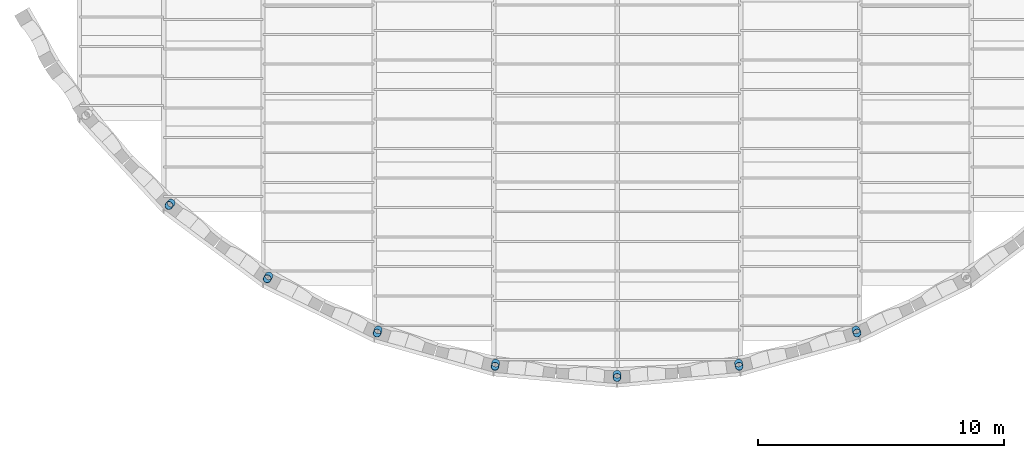
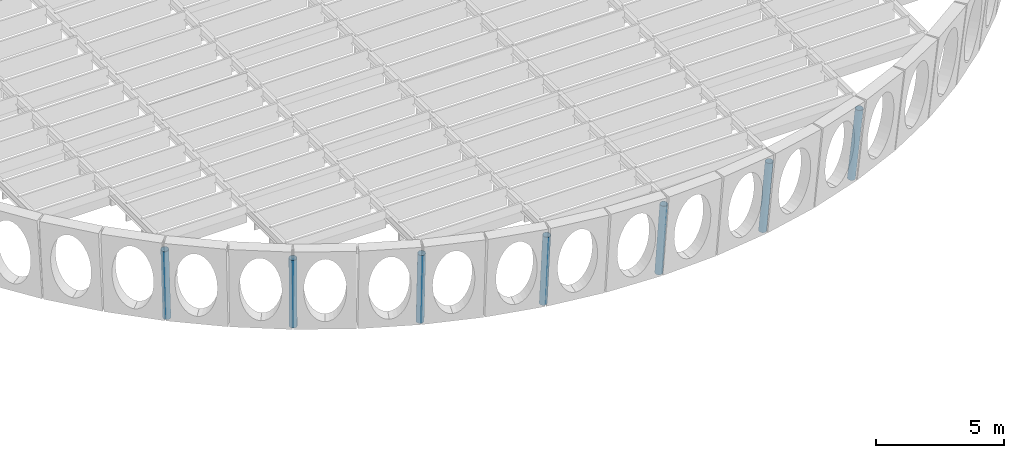
# One storey, part 5 of 47: 7 columns.
"""IFC4 building model written with IfcOpenShell, lengths in metres."""

from ifc_helpers import new_model, si_unit, direction, frame, origin, origin_2d, place, context, subcontext, project, spatial, hollow_circle, extrude, material, material_profile, profile_set, type_object, element, save


model = new_model("IFC4")

# Units and contexts
model_context = context("Model", 3, precision=1e-05, world=origin(), true_north=direction((0.0, 1.0)))
body_context = subcontext(model_context, "Body", "Model", "MODEL_VIEW")
ifc_project = project(units=[si_unit("LENGTHUNIT", "METRE"), si_unit("AREAUNIT", "SQUARE_METRE"), si_unit("VOLUMEUNIT", "CUBIC_METRE"), si_unit("PLANEANGLEUNIT", "RADIAN"), si_unit("MASSUNIT", "GRAM", prefix="KILO")], contexts=[model_context])

# Site, building, storey
site_placement = place(None, origin())
site = spatial("IfcSite", under=ifc_project, at=site_placement, CompositionType="ELEMENT")
building_placement = place(site_placement, origin())
building = spatial("IfcBuilding", under=site, at=building_placement, Name="Mawjan Specialist Oncology Clinic", CompositionType="ELEMENT")
storey_placement = place(building_placement, frame((0.0, 0.0, 9.5)))
storey = spatial("IfcBuildingStorey", under=building, at=storey_placement, Name="L02", CompositionType="ELEMENT", Elevation=9.5)

# Columns
ifc_material = material(Name="Structural steel S355", Category="steel")
ifc_material_profile = material_profile(ifc_material, hollow_circle(Radius=0.161865234375, WallThickness=0.011962890625, at=origin_2d()), Name="CHS 323.9x12", Category="steel")
ifc_profile_set = profile_set([ifc_material_profile], Name="Structural steel S355")
column_type = type_object("IfcColumnType", Name="SC-CHS324", PredefinedType="COLUMN", material=ifc_profile_set)
for number, where, z_axis, x_axis, name in (
    (1, (65.87841796875, 8.873779296875, 0.0), (-0.075751885683, -0.084068652638, 0.993576425575), (0.742898124979, -0.669404493489, 0.0), "Stone-Arc Restraint Pier 2 L02"),
    (2, (69.849609375, 5.908447265625, 0.0), (-0.059187125534, -0.096542934273, 0.993567484378), (0.852539674435, -0.522662513975, 0.0), "Stone-Arc Restraint Pier 3 L02"),
    (3, (74.29443359375, 3.71630859375, 0.0), (-0.040544357412, -0.105623249052, 0.993579329667), (0.933582227874, -0.358363256763, 0.0), "Stone-Arc Restraint Pier 4 L02"),
    (4, (79.064697265625, 2.37109375, 0.0), (-0.020653204309, -0.111305523894, 0.993571600592), (0.983216985942, -0.182440013581, 0.0), "Stone-Arc Restraint Pier 5 L02"),
    (5, (84.0, 1.917724609375, 0.0), (0.0, -0.113245572318, 0.993567028615), (1.0, 0.0, 0.0), "Stone-Arc Restraint Pier 6 L02"),
    (6, (88.935302734375, 2.37109375, 0.0), (0.020653204309, -0.111305523894, 0.993571600592), (0.983216985942, 0.182440013581, 0.0), "Stone-Arc Restraint Pier 7 L02"),
    (7, (93.70556640625, 3.71630859375, 0.0), (0.040544357412, -0.105623249052, 0.993579329667), (0.933582227874, 0.358363256763, 0.0), "Stone-Arc Restraint Pier 8 L02"),
):
    element("IfcColumn", number, at=place(storey_placement, frame(where, z_axis=z_axis, x_axis=x_axis)), inside=storey, type_object=column_type, Name=name, PredefinedType="COLUMN", context=body_context, shape_type="SweptSolid", body=[
        extrude(hollow_circle(Radius=0.161865234375, WallThickness=0.011962890625, at=origin_2d()), origin(), (0.0, 0.0, 1.0), 3.522705078125),
    ])

save(model, "model.ifc")
